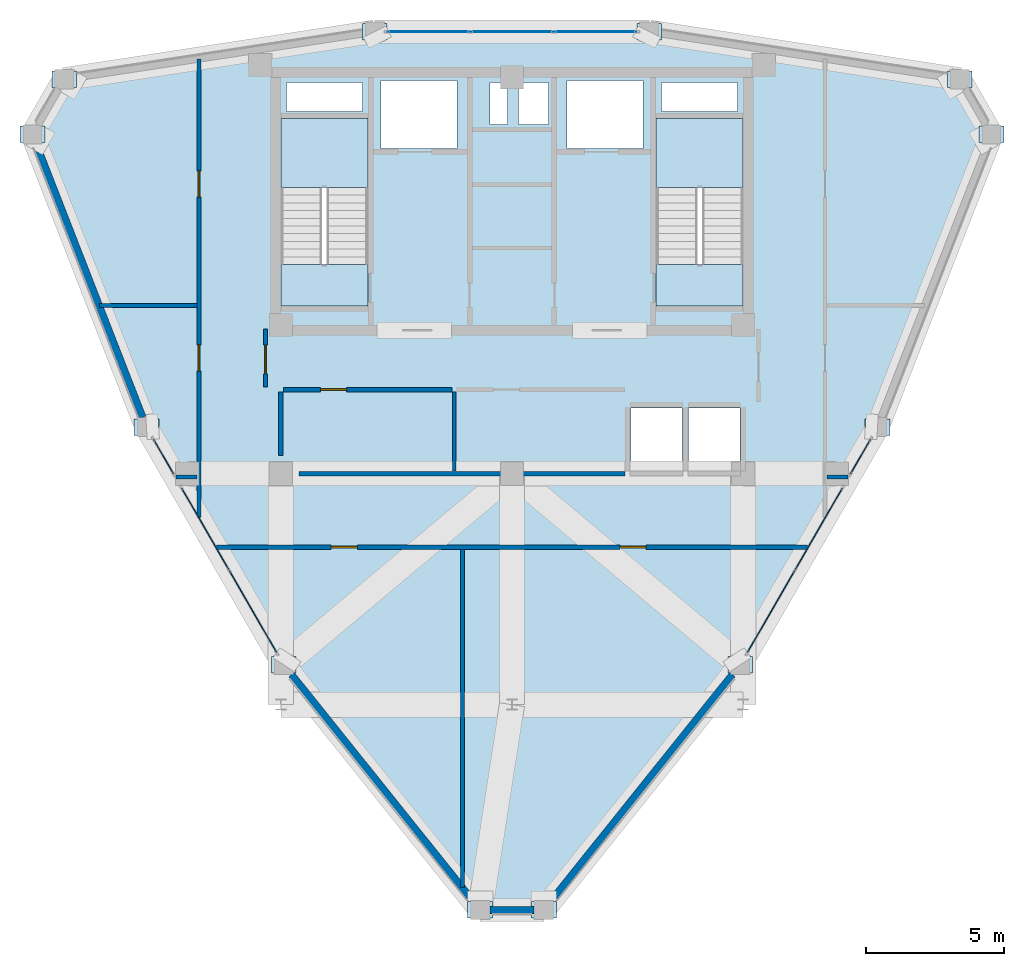
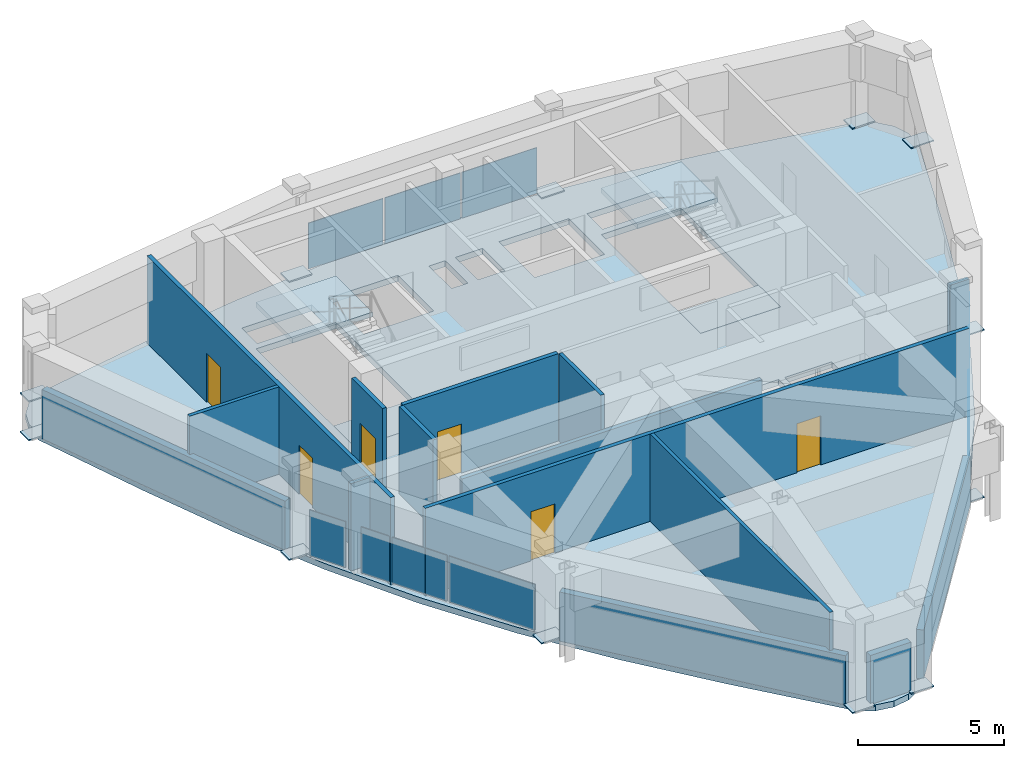
# One storey, part 10 of 13: 21 plates, 15 walls, 6 doors, 5 slabs, 6 openings, 7 elements without a shape of their own.
"""IFC4 building model written with IfcOpenShell, lengths in metres."""

from ifc_helpers import new_model, si_unit, derived_unit, direction, frame, frame_2d, origin, origin_2d, place, context, subcontext, project, spatial, polyline, rectangle, outline, extrude, source, transform, mapped, material, layer, layer_set, type_object, element, fill, aggregate, save


model = new_model("IFC4")

# Units and contexts
model_context = context("Model", 3, precision=1e-05, world=origin(), true_north=direction((0.0, 1.0)))
body_context = subcontext(model_context, "Body", "Model", "MODEL_VIEW")
ifc_project = project(units=[si_unit("LENGTHUNIT", "METRE"), si_unit("AREAUNIT", "SQUARE_METRE"), si_unit("VOLUMEUNIT", "CUBIC_METRE"), si_unit("PLANEANGLEUNIT", "RADIAN"), si_unit("MASSUNIT", "GRAM", prefix="KILO"), derived_unit("THERMALTRANSMITTANCEUNIT", [(si_unit("POWERUNIT", "WATT"), 1), (si_unit("LENGTHUNIT", "METRE"), -2), (si_unit("THERMODYNAMICTEMPERATUREUNIT", "KELVIN"), -1)])], contexts=[model_context])

# Site, building, storey
site_placement = place(None, origin())
site = spatial("IfcSite", under=ifc_project, at=site_placement, CompositionType="ELEMENT")
building_placement = place(site_placement, origin())
building = spatial("IfcBuilding", under=site, at=building_placement, Name="Korsvarv Bourse and Concert Hall", CompositionType="ELEMENT")
storey_placement = place(building_placement, frame((0.0, 0.0, 292.199951171875)))
storey = spatial("IfcBuildingStorey", under=building, at=storey_placement, Name="L76", CompositionType="ELEMENT", Elevation=292.199951171875)

# Slabs
ifc_material_1 = material(Name="Concrete C45/55", Category="concrete")
ifc_layer_1 = layer(ifc_material_1, 0.25)
ifc_layer_set_1 = layer_set([ifc_layer_1], Name="Concrete C45/55")
slab_type_1 = type_object("IfcSlabType", Name="SLB-CRN", PredefinedType="FLOOR", material=ifc_layer_set_1)
slab_1_placement = place(storey_placement, frame((0.0, 0.0, -0.25)))
element("IfcSlab", 1, at=slab_1_placement, inside=storey, type_object=slab_type_1, Name="L76 tower structural floor slab", PredefinedType="FLOOR", context=body_context, shape_type="SweptSolid", body=[
    extrude(outline(polyline([(53.099365234375, 43.849853515625), (51.76220703125, 40.159912109375), (50.34228515625, 36.542724609375), (48.76318359375, 33.037353515625), (46.971923828125, 29.665283203125), (44.947509765625, 26.42822265625), (42.701171875, 23.307861328125), (40.2783203125, 20.26953125), (37.751708984375, 17.2666015625), (37.750732421875, 17.265625), (37.225341796875, 16.6396484375), (36.652099609375, 16.30859375), (36.0, 16.193603515625), (35.347900390625, 16.30859375), (34.774658203125, 16.6396484375), (34.249267578125, 17.265625), (34.248291015625, 17.2666015625), (31.7216796875, 20.26953125), (29.298828125, 23.307861328125), (27.052490234375, 26.42822265625), (25.028076171875, 29.665283203125), (23.23681640625, 33.037353515625), (21.65771484375, 36.542724609375), (20.23779296875, 40.159912109375), (18.900634765625, 43.849853515625), (18.900146484375, 43.85107421875), (18.62060546875, 44.618896484375), (18.62060546875, 45.281005859375), (18.84716796875, 45.9033203125), (19.272705078125, 46.410400390625), (19.84619140625, 46.741455078125), (20.65087890625, 46.88330078125), (20.652099609375, 46.883544921875), (24.51611328125, 47.5703125), (28.35888671875, 48.1494140625), (32.18408203125, 48.53466796875), (36.0, 48.66943359375), (39.81591796875, 48.53466796875), (43.64111328125, 48.1494140625), (47.48388671875, 47.5703125), (51.347900390625, 46.883544921875), (51.34912109375, 46.88330078125), (52.15380859375, 46.741455078125), (52.727294921875, 46.410400390625), (53.15283203125, 45.9033203125), (53.37939453125, 45.281005859375), (53.37939453125, 44.618896484375), (53.099853515625, 43.85107421875), (53.099365234375, 43.849853515625)]), holes=[polyline([(30.760009765625, 38.5), (30.760009765625, 45.300048828125), (27.60009765625, 45.300048828125), (27.60009765625, 38.5), (30.760009765625, 38.5)]), polyline([(44.39990234375, 38.5), (44.39990234375, 45.300048828125), (41.239990234375, 45.300048828125), (41.239990234375, 38.5), (44.39990234375, 38.5)]), polyline([(31.239990234375, 44.219970703125), (34.0, 44.219970703125), (34.0, 46.679931640625), (31.239990234375, 46.679931640625), (31.239990234375, 44.219970703125)]), polyline([(38.0, 44.219970703125), (40.760009765625, 44.219970703125), (40.760009765625, 46.679931640625), (38.0, 46.679931640625), (38.0, 44.219970703125)]), polyline([(40.320068359375, 32.52001953125), (42.179931640625, 32.52001953125), (42.179931640625, 34.780029296875), (40.320068359375, 34.780029296875), (40.320068359375, 32.52001953125)]), polyline([(42.419921875, 32.52001953125), (44.280029296875, 32.52001953125), (44.280029296875, 34.780029296875), (42.419921875, 34.780029296875), (42.419921875, 32.52001953125)]), polyline([(27.800048828125, 45.56005859375), (30.56005859375, 45.56005859375), (30.56005859375, 46.6201171875), (27.800048828125, 46.6201171875), (27.800048828125, 45.56005859375)]), polyline([(41.43994140625, 45.56005859375), (44.199951171875, 45.56005859375), (44.199951171875, 46.6201171875), (41.43994140625, 46.6201171875), (41.43994140625, 45.56005859375)]), polyline([(35.199951171875, 45.080078125), (35.840087890625, 45.080078125), (35.840087890625, 46.6201171875), (35.199951171875, 46.6201171875), (35.199951171875, 45.080078125)]), polyline([(36.239990234375, 45.080078125), (37.320068359375, 45.080078125), (37.320068359375, 46.6201171875), (36.239990234375, 46.6201171875), (36.239990234375, 45.080078125)])]), origin(), (0.0, 0.0, 1.0), 0.25),
])
ifc_material_2 = material(Name="Precast concrete C45/55", Category="concrete")
ifc_layer_2 = layer(ifc_material_2, 0.199951171875)
ifc_layer_set_2 = layer_set([ifc_layer_2], Name="Precast concrete C45/55")
slab_type_2 = type_object("IfcSlabType", Name="SLB-FLND-T", PredefinedType="LANDING", material=ifc_layer_set_2)
slab_2_placement = place(storey_placement, frame((0.0, 0.0, -0.199951171875)))
element("IfcSlab", 2, at=slab_2_placement, inside=storey, type_object=slab_type_2, Name="L76 Stair ST-T1 Floor Landing Slab", PredefinedType="LANDING", context=body_context, shape_type="SweptSolid", body=[
    extrude(outline(polyline([(30.760009765625, 38.5), (30.760009765625, 40.0), (27.60009765625, 40.0), (27.60009765625, 38.5), (30.760009765625, 38.5)])), origin(), (0.0, 0.0, 1.0), 0.199951171875),
])
slab_3_placement = place(storey_placement, frame((0.0, 0.0, -0.199951171875)))
element("IfcSlab", 3, at=slab_3_placement, inside=storey, type_object=slab_type_2, Name="L76 Stair ST-T2 Floor Landing Slab", PredefinedType="LANDING", context=body_context, shape_type="SweptSolid", body=[
    extrude(outline(polyline([(44.39990234375, 38.5), (44.39990234375, 40.0), (41.239990234375, 40.0), (41.239990234375, 38.5), (44.39990234375, 38.5)])), origin(), (0.0, 0.0, 1.0), 0.199951171875),
])

# Stair, slab
stair_type = type_object("IfcStairType", Name="STR-TYPE-03", PredefinedType="HALF_TURN_STAIR", material=ifc_material_2)
stair_1_placement = place(storey_placement, origin())
stair_1 = element("IfcStair", 4, at=stair_1_placement, inside=storey, type_object=stair_type, Name="L76 Tower West Exit Stair ST-T1", PredefinedType="HALF_TURN_STAIR")
ifc_layer_3 = layer(ifc_material_2, 0.199951171875)
ifc_layer_set_3 = layer_set([ifc_layer_3], Name="Precast concrete C45/55")
slab_type_3 = type_object("IfcSlabType", Name="SLB-ST-LND", PredefinedType="LANDING", material=ifc_layer_set_3)
slab_4_placement = place(storey_placement, frame((0.0, 0.0, 1.75)))
slab_4 = element("IfcSlab", 5, at=slab_4_placement, type_object=slab_type_3, Name="ST-T1 landing 1", PredefinedType="LANDING", context=body_context, shape_type="SweptSolid", body=[
    extrude(outline(polyline([(30.760009765625, 42.800048828125), (30.760009765625, 45.300048828125), (27.60009765625, 45.300048828125), (27.60009765625, 42.800048828125), (30.760009765625, 42.800048828125)])), origin(), (0.0, 0.0, 1.0), 0.199951171875),
])
aggregate(stair_1, [slab_4])

stair_2_placement = place(storey_placement, origin())
stair_2 = element("IfcStair", 6, at=stair_2_placement, inside=storey, type_object=stair_type, Name="L76 Tower East Exit Stair ST-T2", PredefinedType="HALF_TURN_STAIR")
slab_5_placement = place(storey_placement, frame((0.0, 0.0, 1.75)))
slab_5 = element("IfcSlab", 7, at=slab_5_placement, type_object=slab_type_3, Name="ST-T2 landing 1", PredefinedType="LANDING", context=body_context, shape_type="SweptSolid", body=[
    extrude(outline(polyline([(44.39990234375, 42.800048828125), (44.39990234375, 45.300048828125), (41.239990234375, 45.300048828125), (41.239990234375, 42.800048828125), (44.39990234375, 42.800048828125)])), origin(), (0.0, 0.0, 1.0), 0.199951171875),
])
aggregate(stair_2, [slab_5])

# Plates
ifc_material_3 = material(Name="Steel S355", Category="steel")
ifc_layer_4 = layer(ifc_material_3, 0.050048828125)
ifc_layer_set_4 = layer_set([ifc_layer_4], Name="Steel S355")
plate_type_1 = type_object("IfcPlateType", Name="PLT-BP1", PredefinedType="USERDEFINED", material=ifc_layer_set_4)
shared_shape_1 = source(origin(), body_context, "Body", "SweptSolid", [
    extrude(rectangle(XDim=0.89990234375, YDim=0.60009765625, at=origin_2d()), origin(), (0.0, 0.0, 1.0), 0.050048828125),
])
for number, where, z_axis, x_axis, name in (
    (8, (53.43310546875, 44.727294921875, 0.0), (0.0, 0.0, 1.0), (1.0, 0.0, 0.0), "L76 Crown Column Base Anchor Plate BP1 (TP01)"),
    (9, (52.274658203125, 46.73388671875, 0.0), (0.0, 0.0, 1.0), (1.0, 0.0, 0.0), "L76 Crown Column Base Anchor Plate BP1 (TP02)"),
    (10, (40.989013671875, 48.4619140625, 0.0), (0.0, 0.0, 1.0), (1.0, 0.0, 0.0), "L76 Crown Column Base Anchor Plate BP1 (TP03)"),
    (11, (31.010986328125, 48.4619140625, 0.0), (0.0, 0.0, 1.0), (1.0, 0.0, 0.0), "L76 Crown Column Base Anchor Plate BP1 (TP04)"),
    (12, (19.725341796875, 46.73388671875, 0.0), (0.0, 0.0, 1.0), (1.0, 0.0, 0.0), "L76 Crown Column Base Anchor Plate BP1 (TP05)"),
    (13, (18.56689453125, 44.727294921875, 0.0), (0.0, 0.0, 1.0), (1.0, 0.0, 0.0), "L76 Crown Column Base Anchor Plate BP1 (TP06)"),
    (14, (22.713134765625, 34.089599609375, 0.0), (0.0, 0.0, 1.0), (1.0, 0.0, 0.0), "L76 Crown Column Base Anchor Plate BP1 (TP07)"),
    (15, (27.7021484375, 25.448486328125, 0.0), (0.0, 0.0, 1.0), (1.0, 0.0, 0.0), "L76 Crown Column Base Anchor Plate BP1 (TP08)"),
    (16, (34.841552734375, 16.538818359375, 0.0), (0.0, 0.0, 1.0), (1.0, 0.0, 0.0), "L76 Crown Column Base Anchor Plate BP1 (TP09)"),
    (17, (37.158447265625, 16.538818359375, 0.0), (0.0, 0.0, 1.0), (1.0, 0.0, 0.0), "L76 Crown Column Base Anchor Plate BP1 (TP10)"),
    (18, (44.2978515625, 25.448486328125, 0.0), (0.0, 0.0, 1.0), (1.0, 0.0, 0.0), "L76 Crown Column Base Anchor Plate BP1 (TP11)"),
    (19, (49.286865234375, 34.089599609375, 0.0), (0.0, 0.0, 1.0), (1.0, 0.0, 0.0), "L76 Crown Column Base Anchor Plate BP1 (TP12)"),
):
    element("IfcPlate", number, at=place(storey_placement, frame(where, z_axis=z_axis, x_axis=x_axis)), inside=storey, type_object=plate_type_1, Name=name, ObjectType="BASE_PLATE", PredefinedType="USERDEFINED", context=body_context, shape_type="MappedRepresentation", body=[
        mapped(shared_shape_1, transform((0.0, 0.0, 0.0), scale=1.0)),
    ])

# Curtain wall, plates
ifc_material_4 = material(Name="Anodised aluminium and triple low-E glazing", Category="glass")
ifc_layer_5 = layer(ifc_material_4, 0.22998046875)
ifc_layer_set_5 = layer_set([ifc_layer_5], Name="Anodised aluminium and triple low-E glazing")
curtain_wall_type = type_object("IfcCurtainWallType", Name="CW-SYS-6", PredefinedType="NOTDEFINED", material=ifc_layer_set_5)
curtain_wall_1_placement = place(storey_placement, origin())
curtain_wall_1 = element("IfcCurtainWall", 20, at=curtain_wall_1_placement, inside=storey, type_object=curtain_wall_type, Name="L76 CW6 curtain wall CW-L76-CRN03", PredefinedType="NOTDEFINED")
ifc_material_5 = material(Name="Insulated spandrel glass", Category="glass")
ifc_layer_6 = layer(ifc_material_5, 0.031982421875)
ifc_layer_set_6 = layer_set([ifc_layer_6], Name="Insulated spandrel glass")
plate_type_2 = type_object("IfcPlateType", Name="CWP-SPD1", PredefinedType="CURTAIN_PANEL", material=ifc_layer_set_6)
shared_shape_2 = source(origin(), body_context, "Body", "SweptSolid", [
    extrude(rectangle(XDim=2.954345703125, YDim=0.031982421875, at=origin_2d()), origin(), (0.0, 0.0, 1.0), 1.919921875),
])
plate_1_placement = place(storey_placement, frame((39.041748046875, 48.4619140625, 0.065185546875), z_axis=(0.0, 0.0, 1.0), x_axis=(-1.0, 0.0, 0.0)))
plate_1 = element("IfcPlate", 21, at=plate_1_placement, type_object=plate_type_2, Name="CW6 panel 1.1", PredefinedType="CURTAIN_PANEL", context=body_context, shape_type="MappedRepresentation", body=[
    mapped(shared_shape_2, transform((0.0, 0.0, 0.0), scale=1.0)),
])
plate_2_placement = place(storey_placement, frame((32.958251953125, 48.4619140625, 0.065185546875), z_axis=(0.0, 0.0, 1.0), x_axis=(-1.0, 0.0, 0.0)))
plate_2 = element("IfcPlate", 22, at=plate_2_placement, type_object=plate_type_2, Name="CW6 panel 3.1", PredefinedType="CURTAIN_PANEL", context=body_context, shape_type="MappedRepresentation", body=[
    mapped(shared_shape_2, transform((0.0, 0.0, 0.0), scale=1.0)),
])
shared_shape_3 = source(origin(), body_context, "Body", "SweptSolid", [
    extrude(rectangle(XDim=2.9892578125, YDim=0.031982421875, at=origin_2d()), origin(), (0.0, 0.0, 1.0), 1.919921875),
])
plate_3_placement = place(storey_placement, frame((36.0, 48.4619140625, 0.065185546875), z_axis=(0.0, 0.0, 1.0), x_axis=(-1.0, 0.0, 0.0)))
plate_3 = element("IfcPlate", 23, at=plate_3_placement, type_object=plate_type_2, Name="CW6 panel 2.1", PredefinedType="CURTAIN_PANEL", context=body_context, shape_type="MappedRepresentation", body=[
    mapped(shared_shape_3, transform((0.0, 0.0, 0.0), scale=1.0)),
])
aggregate(curtain_wall_1, [plate_1, plate_3, plate_2])

# Curtain wall, plate
curtain_wall_2_placement = place(storey_placement, origin())
curtain_wall_2 = element("IfcCurtainWall", 24, at=curtain_wall_2_placement, inside=storey, type_object=curtain_wall_type, Name="L76 CW6 curtain wall CW-L76-CRN07-1", PredefinedType="NOTDEFINED")
shared_shape_4 = source(origin(), body_context, "Body", "SweptSolid", [
    extrude(rectangle(XDim=1.421630859375, YDim=0.031982421875, at=origin_2d()), origin(), (0.0, 0.0, 1.0), 1.919921875),
])
plate_4_placement = place(storey_placement, frame((23.33447265625, 33.013427734375, 0.065185546875), z_axis=(0.0, 0.0, 1.0), x_axis=(0.500016212936, -0.866016043039, 0.0)))
plate_4 = element("IfcPlate", 25, at=plate_4_placement, type_object=plate_type_2, Name="CW6 panel 1.1", PredefinedType="CURTAIN_PANEL", context=body_context, shape_type="MappedRepresentation", body=[
    mapped(shared_shape_4, transform((0.0, 0.0, 0.0), scale=1.0)),
])
aggregate(curtain_wall_2, [plate_4])

curtain_wall_3_placement = place(storey_placement, origin())
curtain_wall_3 = element("IfcCurtainWall", 26, at=curtain_wall_3_placement, inside=storey, type_object=curtain_wall_type, Name="L76 CW6 curtain wall CW-L76-CRN11-2", PredefinedType="NOTDEFINED")
plate_5_placement = place(storey_placement, frame((48.66552734375, 33.013427734375, 0.065185546875), z_axis=(0.0, 0.0, 1.0), x_axis=(0.500016212936, 0.866016043039, 0.0)))
plate_5 = element("IfcPlate", 27, at=plate_5_placement, type_object=plate_type_2, Name="CW6 panel 1.1", PredefinedType="CURTAIN_PANEL", context=body_context, shape_type="MappedRepresentation", body=[
    mapped(shared_shape_4, transform((0.0, 0.0, 0.0), scale=1.0)),
])
aggregate(curtain_wall_3, [plate_5])

# Curtain wall, plates
curtain_wall_4_placement = place(storey_placement, origin())
curtain_wall_4 = element("IfcCurtainWall", 28, at=curtain_wall_4_placement, inside=storey, type_object=curtain_wall_type, Name="L76 CW6 curtain wall CW-L76-CRN07-2", PredefinedType="NOTDEFINED")
shared_shape_5 = source(origin(), body_context, "Body", "SweptSolid", [
    extrude(rectangle(XDim=3.4033203125, YDim=0.031982421875, at=origin_2d()), origin(), (0.0, 0.0, 1.0), 1.919921875),
])
plate_6_placement = place(storey_placement, frame((24.848876953125, 30.390625, 0.065185546875), z_axis=(0.0, 0.0, 1.0), x_axis=(0.499997151864, -0.86602704815, 0.0)))
plate_6 = element("IfcPlate", 29, at=plate_6_placement, type_object=plate_type_2, Name="CW6 panel 1.1", PredefinedType="CURTAIN_PANEL", context=body_context, shape_type="MappedRepresentation", body=[
    mapped(shared_shape_5, transform((0.0, 0.0, 0.0), scale=1.0)),
])
plate_7_placement = place(storey_placement, frame((26.58544921875, 27.3828125, 0.065185546875), z_axis=(0.0, 0.0, 1.0), x_axis=(0.499997151864, -0.86602704815, 0.0)))
plate_7 = element("IfcPlate", 30, at=plate_7_placement, type_object=plate_type_2, Name="CW6 panel 2.1", PredefinedType="CURTAIN_PANEL", context=body_context, shape_type="MappedRepresentation", body=[
    mapped(shared_shape_5, transform((0.0, 0.0, 0.0), scale=1.0)),
])
aggregate(curtain_wall_4, [plate_6, plate_7])

curtain_wall_5_placement = place(storey_placement, origin())
curtain_wall_5 = element("IfcCurtainWall", 31, at=curtain_wall_5_placement, inside=storey, type_object=curtain_wall_type, Name="L76 CW6 curtain wall CW-L76-CRN11-1", PredefinedType="NOTDEFINED")
plate_8_placement = place(storey_placement, frame((45.41455078125, 27.3828125, 0.065185546875), z_axis=(0.0, 0.0, 1.0), x_axis=(0.499997151864, 0.86602704815, 0.0)))
plate_8 = element("IfcPlate", 32, at=plate_8_placement, type_object=plate_type_2, Name="CW6 panel 1.1", PredefinedType="CURTAIN_PANEL", context=body_context, shape_type="MappedRepresentation", body=[
    mapped(shared_shape_5, transform((0.0, 0.0, 0.0), scale=1.0)),
])
plate_9_placement = place(storey_placement, frame((47.151123046875, 30.390625, 0.065185546875), z_axis=(0.0, 0.0, 1.0), x_axis=(0.499997151864, 0.86602704815, 0.0)))
plate_9 = element("IfcPlate", 33, at=plate_9_placement, type_object=plate_type_2, Name="CW6 panel 2.1", PredefinedType="CURTAIN_PANEL", context=body_context, shape_type="MappedRepresentation", body=[
    mapped(shared_shape_5, transform((0.0, 0.0, 0.0), scale=1.0)),
])
aggregate(curtain_wall_5, [plate_8, plate_9])

# Walls
ifc_material_6 = material(Name="Insulated aluminium and terracotta crown enclosure wall", Category="concrete")
ifc_layer_7 = layer(ifc_material_6, 0.260009765625)
ifc_layer_set_7 = layer_set([ifc_layer_7], Name="Insulated aluminium and terracotta crown enclosure wall")
wall_type_1 = type_object("IfcWallType", Name="WL-EXT-CRN", PredefinedType="SOLIDWALL", material=ifc_layer_set_7)
wall_1_placement = place(storey_placement, frame((18.705322265625, 44.372314453125, 0.0), z_axis=(0.0, 0.0, 1.0), x_axis=(0.363147184015, -0.931731786912, 0.0)))
element("IfcWall", 34, at=wall_1_placement, inside=storey, type_object=wall_type_1, Name="L76 terracotta exterior wall EW-L76-CRN06", PredefinedType="SOLIDWALL", context=body_context, shape_type="SweptSolid", body=[
    extrude(rectangle(XDim=10.655029296875, YDim=0.260009765625, at=frame_2d((5.32763671875, 0.0))), origin(), (0.0, 0.0, 1.0), 2.050048828125),
])
wall_2_placement = place(storey_placement, frame((27.98681640625, 25.093505859375, 0.0), z_axis=(0.0, 0.0, 1.0), x_axis=(0.625306906012, -0.780378929299, 0.0)))
element("IfcWall", 35, at=wall_2_placement, inside=storey, type_object=wall_type_1, Name="L76 terracotta exterior wall EW-L76-CRN08", PredefinedType="SOLIDWALL", context=body_context, shape_type="SweptSolid", body=[
    extrude(rectangle(XDim=10.50732421875, YDim=0.260009765625, at=frame_2d((5.253662109375, 0.0))), origin(), (0.0, 0.0, 1.0), 2.050048828125),
])
wall_3_placement = place(storey_placement, frame((35.196533203125, 16.538818359375, 0.0), z_axis=(0.0, 0.0, 1.0), x_axis=(1.0, 0.0, 0.0)))
element("IfcWall", 36, at=wall_3_placement, inside=storey, type_object=wall_type_1, Name="L76 terracotta exterior wall EW-L76-CRN09", PredefinedType="SOLIDWALL", context=body_context, shape_type="SweptSolid", body=[
    extrude(rectangle(XDim=1.60693359375, YDim=0.260009765625, at=frame_2d((0.803466796875, 0.0))), origin(), (0.0, 0.0, 1.0), 2.050048828125),
])
wall_4_placement = place(storey_placement, frame((37.44287109375, 16.893798828125, 0.0), z_axis=(0.0, 0.0, 1.0), x_axis=(0.625306906012, 0.780378929299, 0.0)))
element("IfcWall", 37, at=wall_4_placement, inside=storey, type_object=wall_type_1, Name="L76 terracotta exterior wall EW-L76-CRN10", PredefinedType="SOLIDWALL", context=body_context, shape_type="SweptSolid", body=[
    extrude(rectangle(XDim=10.50732421875, YDim=0.260009765625, at=frame_2d((5.253662109375, 0.0))), origin(), (0.0, 0.0, 1.0), 2.050048828125),
])
ifc_material_7 = material(Name="Double-stud fire-rated acoustic partition", Category="gypsum")
ifc_layer_8 = layer(ifc_material_7, 0.159912109375)
ifc_layer_set_8 = layer_set([ifc_layer_8], Name="Double-stud fire-rated acoustic partition")
wall_type_2 = type_object("IfcWallType", Name="WL-INT-EI60", PredefinedType="PARTITIONING", material=ifc_layer_set_8)
wall_5_placement = place(storey_placement, frame((28.25, 32.39990234375, 0.0), z_axis=(0.0, 0.0, 1.0), x_axis=(1.0, 0.0, 0.0)))
element("IfcWall", 38, at=wall_5_placement, inside=storey, type_object=wall_type_2, Name="L76 interior partition wall W-L76-FRD-S", PredefinedType="PARTITIONING", context=body_context, shape_type="SweptSolid", body=[
    extrude(rectangle(XDim=11.85009765625, YDim=0.159912109375, at=frame_2d((5.925048828125, 0.0))), origin(), (0.0, 0.0, 1.0), 2.2099609375),
])
wall_6_placement = place(storey_placement, frame((27.60009765625, 33.050048828125, 0.0), z_axis=(0.0, 0.0, 1.0), x_axis=(0.0, 1.0, 0.0)))
element("IfcWall", 39, at=wall_6_placement, inside=storey, type_object=wall_type_2, Name="L76 interior partition wall W-L76-FRD-W", PredefinedType="PARTITIONING", context=body_context, shape_type="SweptSolid", body=[
    extrude(rectangle(XDim=2.31005859375, YDim=0.159912109375, at=frame_2d((1.155029296875, 0.0))), origin(), (0.0, 0.0, 1.0), 3.650146484375),
])

# Wall, opening, door
wall_7_placement = place(storey_placement, frame((27.68994140625, 35.449951171875, 0.0), z_axis=(0.0, 0.0, 1.0), x_axis=(1.0, 0.0, 0.0)))
wall_7 = element("IfcWall", 40, at=wall_7_placement, inside=storey, type_object=wall_type_2, Name="L76 interior partition wall W-L76-FRD-N1", PredefinedType="PARTITIONING", context=body_context, shape_type="SweptSolid", body=[
    extrude(rectangle(XDim=6.130126953125, YDim=0.159912109375, at=frame_2d((3.06494140625, 0.0))), origin(), (0.0, 0.0, 1.0), 3.650146484375),
])
opening_1_placement = place(wall_7_placement, frame((1.35009765625, 0.0, 0.0)))
opening_1 = element("IfcOpeningElement", 41, at=opening_1_placement, cuts=wall_7, Name="Opening D-03", PredefinedType="OPENING", context=body_context, shape_type="SweptSolid", body=[
    extrude(rectangle(XDim=0.949951171875, YDim=2.050048828125, at=frame_2d((0.47509765625, 1.02490234375))), frame((0.0, 0.08984375, 0.0), z_axis=(0.0, -1.0, 0.0), x_axis=(1.0, 0.0, 0.0)), (0.0, 0.0, 1.0), 0.179931640625),
])
ifc_material_8 = material(Name="Nordic oak acoustic office door", Category="wood")
door_type_1 = type_object("IfcDoorType", Name="DR-INT-1", OperationType="NOTDEFINED", PredefinedType="DOOR", material=ifc_material_8)
door_1_placement = place(opening_1_placement, origin())
door_1 = element("IfcDoor", 42, at=door_1_placement, inside=storey, type_object=door_type_1, Name="L76 interior door DR-L76-FRDN1", OperationType="SINGLE_SWING_LEFT", OverallHeight=2.050048828125, OverallWidth=0.949951171875, PredefinedType="DOOR", context=body_context, shape_type="SweptSolid", body=[
    extrude(rectangle(XDim=0.949951171875, YDim=2.050048828125, at=frame_2d((0.47509765625, 1.02490234375))), frame((0.0, 0.02490234375, 0.0), z_axis=(0.0, -1.0, 0.0), x_axis=(1.0, 0.0, 0.0)), (0.0, 0.0, 1.0), 0.050048828125),
])
fill(opening_1, door_1)

wall_8_placement = place(storey_placement, frame((27.0400390625, 35.5400390625, 0.0), z_axis=(0.0, 0.0, 1.0), x_axis=(0.0, 1.0, 0.0)))
wall_8 = element("IfcWall", 43, at=wall_8_placement, inside=storey, type_object=wall_type_2, Name="L76 interior partition wall W-L76-LOB-WL", PredefinedType="PARTITIONING", context=body_context, shape_type="SweptSolid", body=[
    extrude(rectangle(XDim=2.10986328125, YDim=0.159912109375, at=frame_2d((1.054931640625, 0.0))), origin(), (0.0, 0.0, 1.0), 3.650146484375),
])
opening_2_placement = place(wall_8_placement, frame((0.47998046875, 0.0, 0.0)))
opening_2 = element("IfcOpeningElement", 44, at=opening_2_placement, cuts=wall_8, Name="Opening D-01", PredefinedType="OPENING", context=body_context, shape_type="SweptSolid", body=[
    extrude(rectangle(XDim=1.050048828125, YDim=2.10009765625, at=frame_2d((0.52490234375, 1.050048828125))), frame((0.0, 0.08984375, 0.0), z_axis=(0.0, -1.0, 0.0), x_axis=(1.0, 0.0, 0.0)), (0.0, 0.0, 1.0), 0.179931640625),
])
ifc_material_9 = material(Name="Steel S355 fire door", Category="steel")
door_type_2 = type_object("IfcDoorType", Name="DR-FD60", OperationType="NOTDEFINED", PredefinedType="DOOR", material=ifc_material_9)
door_2_placement = place(opening_2_placement, frame((1.050048828125, 0.0, 0.0), z_axis=(0.0, 0.0, 1.0), x_axis=(-1.0, 0.0, 0.0)))
door_2 = element("IfcDoor", 45, at=door_2_placement, inside=storey, type_object=door_type_2, Name="L76 interior door DR-L76-LOBW", OperationType="SINGLE_SWING_LEFT", OverallHeight=2.10009765625, OverallWidth=1.050048828125, PredefinedType="DOOR", context=body_context, shape_type="SweptSolid", body=[
    extrude(rectangle(XDim=1.050048828125, YDim=2.10009765625, at=frame_2d((0.52490234375, 1.050048828125))), frame((0.0, 0.02490234375, 0.0), z_axis=(0.0, -1.0, 0.0), x_axis=(1.0, 0.0, 0.0)), (0.0, 0.0, 1.0), 0.050048828125),
])
fill(opening_2, door_2)

# Wall, openings, doors
wall_9_placement = place(storey_placement, frame((25.253173828125, 29.72509765625, 0.0), z_axis=(0.0, 0.0, 1.0), x_axis=(1.0, 0.0, 0.0)))
wall_9 = element("IfcWall", 46, at=wall_9_placement, inside=storey, type_object=wall_type_2, Name="L76 interior partition wall W-L76-CCOR-01", PredefinedType="PARTITIONING", context=body_context, shape_type="SweptSolid", body=[
    extrude(rectangle(XDim=21.49365234375, YDim=0.159912109375, at=frame_2d((10.746826171875, 0.0))), origin(), (0.0, 0.0, 1.0), 3.650146484375),
])
opening_3_placement = place(wall_9_placement, frame((4.173583984375, 0.0, 0.0)))
opening_3 = element("IfcOpeningElement", 47, at=opening_3_placement, cuts=wall_9, Name="Opening D-02", PredefinedType="OPENING", context=body_context, shape_type="SweptSolid", body=[
    extrude(rectangle(XDim=0.949951171875, YDim=2.050048828125, at=frame_2d((0.47509765625, 1.02490234375))), frame((0.0, 0.08984375, 0.0), z_axis=(0.0, -1.0, 0.0), x_axis=(1.0, 0.0, 0.0)), (0.0, 0.0, 1.0), 0.179931640625),
])
opening_4_placement = place(wall_9_placement, frame((14.67626953125, 0.0, 0.0)))
opening_4 = element("IfcOpeningElement", 48, at=opening_4_placement, cuts=wall_9, Name="Opening D-02", PredefinedType="OPENING", context=body_context, shape_type="SweptSolid", body=[
    extrude(rectangle(XDim=0.949951171875, YDim=2.050048828125, at=frame_2d((0.47509765625, 1.02490234375))), frame((0.0, 0.08984375, 0.0), z_axis=(0.0, -1.0, 0.0), x_axis=(1.0, 0.0, 0.0)), (0.0, 0.0, 1.0), 0.179931640625),
])
ifc_material_10 = material(Name="Timber and steel acoustic fire door", Category="wood")
door_type_3 = type_object("IfcDoorType", Name="DR-FD30", OperationType="NOTDEFINED", PredefinedType="DOOR", material=ifc_material_10)
door_3_placement = place(opening_3_placement, origin())
door_3 = element("IfcDoor", 49, at=door_3_placement, inside=storey, type_object=door_type_3, Name="L76 interior door DR-L76-CCOR-CPL33", OperationType="SINGLE_SWING_LEFT", OverallHeight=2.050048828125, OverallWidth=0.949951171875, PredefinedType="DOOR", context=body_context, shape_type="SweptSolid", body=[
    extrude(rectangle(XDim=0.949951171875, YDim=2.050048828125, at=frame_2d((0.47509765625, 1.02490234375))), frame((0.0, 0.02490234375, 0.0), z_axis=(0.0, -1.0, 0.0), x_axis=(1.0, 0.0, 0.0)), (0.0, 0.0, 1.0), 0.050048828125),
])
fill(opening_3, door_3)
door_4_placement = place(opening_4_placement, origin())
door_4 = element("IfcDoor", 50, at=door_4_placement, inside=storey, type_object=door_type_3, Name="L76 interior door DR-L76-CCOR-CPL44", OperationType="SINGLE_SWING_RIGHT", OverallHeight=2.050048828125, OverallWidth=0.949951171875, PredefinedType="DOOR", context=body_context, shape_type="SweptSolid", body=[
    extrude(rectangle(XDim=0.949951171875, YDim=2.050048828125, at=frame_2d((0.47509765625, 1.02490234375))), frame((0.0, 0.02490234375, 0.0), z_axis=(0.0, -1.0, 0.0), x_axis=(1.0, 0.0, 0.0)), (0.0, 0.0, 1.0), 0.050048828125),
])
fill(opening_4, door_4)

wall_10_placement = place(storey_placement, frame((24.625, 30.79833984375, 0.0), z_axis=(0.0, 0.0, 1.0), x_axis=(0.0, 1.0, 0.0)))
wall_10 = element("IfcWall", 51, at=wall_10_placement, inside=storey, type_object=wall_type_2, Name="L76 interior partition wall W-L76-CCOR-03", PredefinedType="PARTITIONING", context=body_context, shape_type="SweptSolid", body=[
    extrude(rectangle(XDim=16.665771484375, YDim=0.159912109375, at=frame_2d((8.3330078125, 0.0))), origin(), (0.0, 0.0, 1.0), 3.650146484375),
])
opening_5_placement = place(wall_10_placement, frame((5.3291015625, 0.0, 0.0)))
opening_5 = element("IfcOpeningElement", 52, at=opening_5_placement, cuts=wall_10, Name="Opening D-02", PredefinedType="OPENING", context=body_context, shape_type="SweptSolid", body=[
    extrude(rectangle(XDim=0.949951171875, YDim=2.050048828125, at=frame_2d((0.47509765625, 1.02490234375))), frame((0.0, 0.08984375, 0.0), z_axis=(0.0, -1.0, 0.0), x_axis=(1.0, 0.0, 0.0)), (0.0, 0.0, 1.0), 0.179931640625),
])
opening_6_placement = place(wall_10_placement, frame((11.65380859375, 0.0, 0.0)))
opening_6 = element("IfcOpeningElement", 53, at=opening_6_placement, cuts=wall_10, Name="Opening D-02", PredefinedType="OPENING", context=body_context, shape_type="SweptSolid", body=[
    extrude(rectangle(XDim=0.949951171875, YDim=2.050048828125, at=frame_2d((0.47509765625, 1.02490234375))), frame((0.0, 0.08984375, 0.0), z_axis=(0.0, -1.0, 0.0), x_axis=(1.0, 0.0, 0.0)), (0.0, 0.0, 1.0), 0.179931640625),
])
door_5_placement = place(opening_5_placement, origin())
door_5 = element("IfcDoor", 54, at=door_5_placement, inside=storey, type_object=door_type_3, Name="L76 interior door DR-L76-CCOR-CPL15", OperationType="SINGLE_SWING_LEFT", OverallHeight=2.050048828125, OverallWidth=0.949951171875, PredefinedType="DOOR", context=body_context, shape_type="SweptSolid", body=[
    extrude(rectangle(XDim=0.949951171875, YDim=2.050048828125, at=frame_2d((0.47509765625, 1.02490234375))), frame((0.0, 0.02490234375, 0.0), z_axis=(0.0, -1.0, 0.0), x_axis=(1.0, 0.0, 0.0)), (0.0, 0.0, 1.0), 0.050048828125),
])
fill(opening_5, door_5)
door_6_placement = place(opening_6_placement, origin())
door_6 = element("IfcDoor", 55, at=door_6_placement, inside=storey, type_object=door_type_3, Name="L76 interior door DR-L76-CCOR-RM66", OperationType="SINGLE_SWING_RIGHT", OverallHeight=2.050048828125, OverallWidth=0.949951171875, PredefinedType="DOOR", context=body_context, shape_type="SweptSolid", body=[
    extrude(rectangle(XDim=0.949951171875, YDim=2.050048828125, at=frame_2d((0.47509765625, 1.02490234375))), frame((0.0, 0.02490234375, 0.0), z_axis=(0.0, -1.0, 0.0), x_axis=(1.0, 0.0, 0.0)), (0.0, 0.0, 1.0), 0.050048828125),
])
fill(opening_6, door_6)

# Walls
for number, where, z_axis, x_axis, name in (
    (56, (23.781005859375, 32.27490234375, 0.0), (0.0, 0.0, 1.0), (1.0, 0.0, 0.0), "L76 interior partition wall W-L76-CCOR-04"),
    (57, (47.45703125, 32.27490234375, 0.0), (0.0, 0.0, 1.0), (1.0, 0.0, 0.0), "L76 interior partition wall W-L76-CCOR-05"),
):
    element("IfcWall", number, at=place(storey_placement, frame(where, z_axis=z_axis, x_axis=x_axis)), inside=storey, type_object=wall_type_2, Name=name, PredefinedType="PARTITIONING", context=body_context, shape_type="SweptSolid", body=[
        extrude(rectangle(XDim=0.761962890625, YDim=0.159912109375, at=frame_2d((0.380859375, 0.0))), origin(), (0.0, 0.0, 1.0), 3.650146484375),
    ])
ifc_material_11 = material(Name="Insulated steel-stud office acoustic partition", Category="gypsum")
ifc_layer_9 = layer(ifc_material_11, 0.139892578125)
ifc_layer_set_9 = layer_set([ifc_layer_9], Name="Insulated steel-stud office acoustic partition")
wall_type_3 = type_object("IfcWallType", Name="WL-INT-P1", PredefinedType="PARTITIONING", material=ifc_layer_set_9)
wall_11_placement = place(storey_placement, frame((33.89990234375, 32.489990234375, 0.0), z_axis=(0.0, 0.0, 1.0), x_axis=(0.0, 1.0, 0.0)))
element("IfcWall", 58, at=wall_11_placement, inside=storey, type_object=wall_type_3, Name="L76 interior partition wall W-L76-FRD-V", PredefinedType="PARTITIONING", context=body_context, shape_type="SweptSolid", body=[
    extrude(rectangle(XDim=2.8701171875, YDim=0.139892578125, at=frame_2d((1.43505859375, 0.0))), origin(), (0.0, 0.0, 1.0), 3.650146484375),
])
wall_12_placement = place(storey_placement, frame((34.205078125, 17.353271484375, 0.0), z_axis=(0.0, 0.0, 1.0), x_axis=(0.0, 1.0, 0.0)))
element("IfcWall", 59, at=wall_12_placement, inside=storey, type_object=wall_type_3, Name="L76 interior partition wall W-L76-CCOR-06", PredefinedType="PARTITIONING", context=body_context, shape_type="SweptSolid", body=[
    extrude(rectangle(XDim=12.289794921875, YDim=0.139892578125, at=frame_2d((6.14501953125, 0.0))), origin(), (0.0, 0.0, 1.0), 3.650146484375),
])
wall_13_placement = place(storey_placement, frame((21.01220703125, 38.5048828125, 0.0), z_axis=(0.0, 0.0, 1.0), x_axis=(1.0, 0.0, 0.0)))
element("IfcWall", 60, at=wall_13_placement, inside=storey, type_object=wall_type_3, Name="L76 interior partition wall W-L76-CCOR-07", PredefinedType="PARTITIONING", context=body_context, shape_type="SweptSolid", body=[
    extrude(rectangle(XDim=3.53076171875, YDim=0.139892578125, at=frame_2d((1.765380859375, 0.0))), origin(), (0.0, 0.0, 1.0), 3.650146484375),
])

save(model, "model.ifc")
